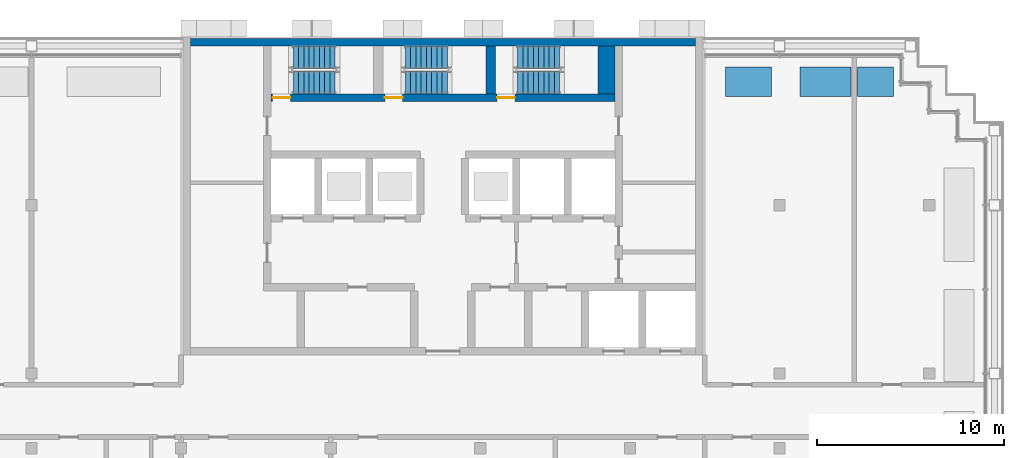
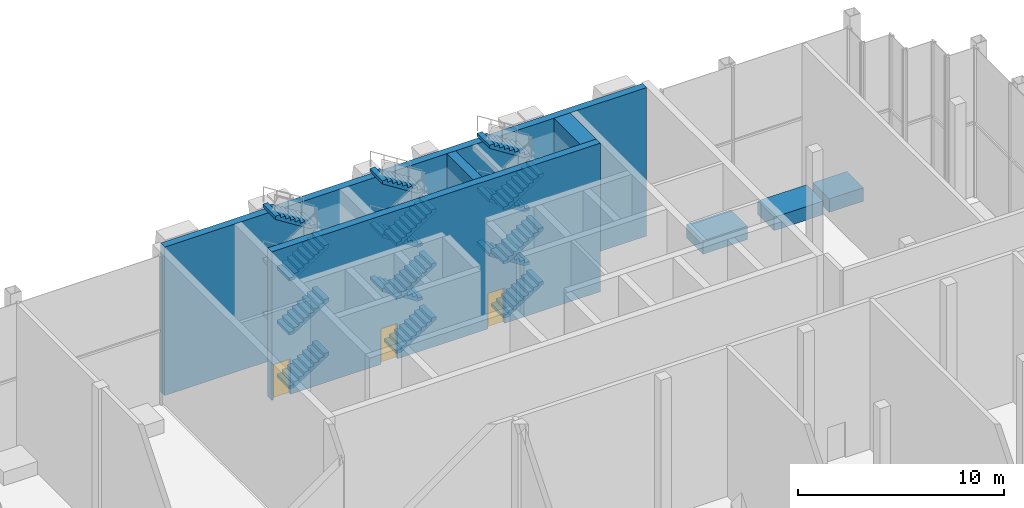
# One storey, part 10 of 15: 18 stair flights, 7 walls, 3 doors, 3 openings, 3 elements without a shape of their own.
"""IFC4 building model written with IfcOpenShell, lengths in metres."""

from ifc_helpers import new_model, si_unit, direction, frame, frame_2d, origin, place, context, subcontext, project, spatial, polyline, rectangle, outline, extrude, material, layer, layer_set, type_object, element, fill, aggregate, save


model = new_model("IFC4")

# Units and contexts
model_context = context("Model", 3, precision=1e-05, world=origin(), true_north=direction((0.0, 1.0)))
body_context = subcontext(model_context, "Body", "Model", "MODEL_VIEW")
ifc_project = project(units=[si_unit("LENGTHUNIT", "METRE"), si_unit("AREAUNIT", "SQUARE_METRE"), si_unit("VOLUMEUNIT", "CUBIC_METRE"), si_unit("PLANEANGLEUNIT", "RADIAN"), si_unit("MASSUNIT", "GRAM", prefix="KILO")], contexts=[model_context])

# Site, building, storey
site_placement = place(None, origin())
site = spatial("IfcSite", under=ifc_project, at=site_placement, CompositionType="ELEMENT")
building_placement = place(site_placement, origin())
building = spatial("IfcBuilding", under=site, at=building_placement, Name="Vidyagriha Tower", CompositionType="ELEMENT")
storey_placement = place(building_placement, frame((0.0, 0.0, 239.60009765625)))
storey = spatial("IfcBuildingStorey", under=building, at=storey_placement, Name="L63", CompositionType="ELEMENT", Elevation=239.60009765625)

# Walls
ifc_material_1 = material(Name="Precast concrete C40/50 with brick facing", Category="concrete")
ifc_layer_1 = layer(ifc_material_1, 1.60009765625)
ifc_layer_set_1 = layer_set([ifc_layer_1], Name="Precast concrete C40/50 with brick facing")
wall_type_1 = type_object("IfcWallType", Name="Brick planter box 1600", PredefinedType="STANDARD", material=ifc_layer_set_1)
wall_1_placement = place(storey_placement, frame((17.580078125, 17.60009765625, 0.0), z_axis=(0.0, 0.0, 1.0), x_axis=(-1.0, 0.0, 0.0)))
element("IfcWall", 1, at=wall_1_placement, inside=storey, type_object=wall_type_1, Name="PLANTER L63 2", PredefinedType="STANDARD", context=body_context, shape_type="SweptSolid", body=[
    extrude(rectangle(XDim=2.47998046875, YDim=1.60009765625, at=frame_2d((1.239990234375, 0.0))), origin(), (0.0, 0.0, 1.0), 0.7998046875),
])
wall_2_placement = place(storey_placement, frame((24.080078125, 17.60009765625, 0.0), z_axis=(0.0, 0.0, 1.0), x_axis=(-1.0, 0.0, 0.0)))
element("IfcWall", 2, at=wall_2_placement, inside=storey, type_object=wall_type_1, Name="PLANTER L63 1", PredefinedType="STANDARD", context=body_context, shape_type="SweptSolid", body=[
    extrude(rectangle(XDim=1.905029296875, YDim=1.60009765625, at=frame_2d((0.95263671875, 0.0))), origin(), (0.0, 0.0, 1.0), 0.7998046875),
])
wall_3_placement = place(storey_placement, frame((21.824951171875, 17.60009765625, 0.0), z_axis=(0.0, 0.0, 1.0), x_axis=(-1.0, 0.0, 0.0)))
element("IfcWall", 3, at=wall_3_placement, inside=storey, type_object=wall_type_1, Name="PLANTER L63 1", PredefinedType="STANDARD", context=body_context, shape_type="SweptSolid", body=[
    extrude(rectangle(XDim=2.744873046875, YDim=1.60009765625, at=frame_2d((1.37255859375, 0.0))), origin(), (0.0, 0.0, 1.0), 0.7998046875),
])
ifc_material_2 = material(Name="Concrete C60/75", Category="concrete")
ifc_layer_2 = layer(ifc_material_2, 0.39990234375)
ifc_layer_set_2 = layer_set([ifc_layer_2], Name="Concrete C60/75")
wall_type_2 = type_object("IfcWallType", Name="Core shear wall 400 mm", PredefinedType="SHEAR", material=ifc_layer_set_2)
wall_4_placement = place(storey_placement, frame((-13.5, 19.699951171875, 0.0)))
element("IfcWall", 4, at=wall_4_placement, inside=storey, type_object=wall_type_2, Name="Core north wall", PredefinedType="SHEAR", context=body_context, shape_type="SweptSolid", body=[
    extrude(rectangle(XDim=27.0, YDim=0.39990234375, at=frame_2d((13.5, 0.0))), origin(), (0.0, 0.0, 1.0), 8.7998046875),
])

# Wall, openings, doors
wall_5_placement = place(storey_placement, frame((-9.199951171875, 16.75, 0.0)))
wall_5 = element("IfcWall", 5, at=wall_5_placement, inside=storey, type_object=wall_type_2, Name="Stair front wall", PredefinedType="SHEAR", context=body_context, shape_type="SweptSolid", body=[
    extrude(rectangle(XDim=18.39990234375, YDim=0.39990234375, at=frame_2d((9.199951171875, 0.0))), origin(), (0.0, 0.0, 1.0), 8.7998046875),
])
opening_1_placement = place(wall_5_placement, frame((0.10009765625, 0.0, 0.0)))
opening_1 = element("IfcOpeningElement", 6, at=opening_1_placement, cuts=wall_5, Name="Opening D63-06", PredefinedType="OPENING", context=body_context, shape_type="SweptSolid", body=[
    extrude(rectangle(XDim=0.949951171875, YDim=2.10009765625, at=frame_2d((0.47509765625, 1.050048828125))), frame((0.0, 0.2099609375, 0.0), z_axis=(0.0, -1.0, 0.0), x_axis=(1.0, 0.0, 0.0)), (0.0, 0.0, 1.0), 0.419921875),
])
opening_2_placement = place(wall_5_placement, frame((6.10009765625, 0.0, 0.0)))
opening_2 = element("IfcOpeningElement", 7, at=opening_2_placement, cuts=wall_5, Name="Opening D63-07", PredefinedType="OPENING", context=body_context, shape_type="SweptSolid", body=[
    extrude(rectangle(XDim=0.949951171875, YDim=2.10009765625, at=frame_2d((0.47509765625, 1.050048828125))), frame((0.0, 0.2099609375, 0.0), z_axis=(0.0, -1.0, 0.0), x_axis=(1.0, 0.0, 0.0)), (0.0, 0.0, 1.0), 0.419921875),
])
opening_3_placement = place(wall_5_placement, frame((12.10009765625, 0.0, 0.0)))
opening_3 = element("IfcOpeningElement", 8, at=opening_3_placement, cuts=wall_5, Name="Opening D63-08", PredefinedType="OPENING", context=body_context, shape_type="SweptSolid", body=[
    extrude(rectangle(XDim=0.949951171875, YDim=2.10009765625, at=frame_2d((0.47509765625, 1.050048828125))), frame((0.0, 0.2099609375, 0.0), z_axis=(0.0, -1.0, 0.0), x_axis=(1.0, 0.0, 0.0)), (0.0, 0.0, 1.0), 0.419921875),
])
ifc_material_3 = material(Name="Hollow metal door leaf")
door_type = type_object("IfcDoorType", Name="Exit stair door 950 x 2100 mm EI 90", OperationType="NOTDEFINED", PredefinedType="DOOR", material=ifc_material_3)
door_1_placement = place(opening_1_placement, origin())
door_1 = element("IfcDoor", 9, at=door_1_placement, inside=storey, type_object=door_type, Name="Stair door ST1 L63", OperationType="SINGLE_SWING_LEFT", OverallHeight=2.10009765625, OverallWidth=0.949951171875, PredefinedType="DOOR", context=body_context, shape_type="SweptSolid", body=[
    extrude(rectangle(XDim=0.949951171875, YDim=2.10009765625, at=frame_2d((0.47509765625, 1.050048828125))), frame((0.0, 0.02490234375, 0.0), z_axis=(0.0, -1.0, 0.0), x_axis=(1.0, 0.0, 0.0)), (0.0, 0.0, 1.0), 0.050048828125),
])
fill(opening_1, door_1)
door_2_placement = place(opening_2_placement, origin())
door_2 = element("IfcDoor", 10, at=door_2_placement, inside=storey, type_object=door_type, Name="Stair door ST2 L63", OperationType="SINGLE_SWING_LEFT", OverallHeight=2.10009765625, OverallWidth=0.949951171875, PredefinedType="DOOR", context=body_context, shape_type="SweptSolid", body=[
    extrude(rectangle(XDim=0.949951171875, YDim=2.10009765625, at=frame_2d((0.47509765625, 1.050048828125))), frame((0.0, 0.02490234375, 0.0), z_axis=(0.0, -1.0, 0.0), x_axis=(1.0, 0.0, 0.0)), (0.0, 0.0, 1.0), 0.050048828125),
])
fill(opening_2, door_2)
door_3_placement = place(opening_3_placement, origin())
door_3 = element("IfcDoor", 11, at=door_3_placement, inside=storey, type_object=door_type, Name="Stair door ST3 L63", OperationType="SINGLE_SWING_LEFT", OverallHeight=2.10009765625, OverallWidth=0.949951171875, PredefinedType="DOOR", context=body_context, shape_type="SweptSolid", body=[
    extrude(rectangle(XDim=0.949951171875, YDim=2.10009765625, at=frame_2d((0.47509765625, 1.050048828125))), frame((0.0, 0.02490234375, 0.0), z_axis=(0.0, -1.0, 0.0), x_axis=(1.0, 0.0, 0.0)), (0.0, 0.0, 1.0), 0.050048828125),
])
fill(opening_3, door_3)

# Walls
ifc_material_4 = material(Name="Concrete C60/75", Category="concrete")
ifc_layer_3 = layer(ifc_material_4, 0.5)
ifc_layer_set_3 = layer_set([ifc_layer_3], Name="Concrete C60/75")
wall_type_3 = type_object("IfcWallType", Name="Core shear wall 500 mm", PredefinedType="SHEAR", material=ifc_layer_set_3)
wall_6_placement = place(storey_placement, frame((2.550048828125, 16.949951171875, 0.0), z_axis=(0.0, 0.0, 1.0), x_axis=(0.0, 1.0, 0.0)))
element("IfcWall", 12, at=wall_6_placement, inside=storey, type_object=wall_type_3, Name="Stair partition wall 2", PredefinedType="SHEAR", context=body_context, shape_type="SweptSolid", body=[
    extrude(rectangle(XDim=2.550048828125, YDim=0.5, at=frame_2d((1.27490234375, 0.0))), origin(), (0.0, 0.0, 1.0), 8.7998046875),
])
ifc_material_5 = material(Name="Concrete C60/75", Category="concrete")
ifc_layer_4 = layer(ifc_material_5, 0.89990234375)
ifc_layer_set_4 = layer_set([ifc_layer_4], Name="Concrete C60/75")
wall_type_4 = type_object("IfcWallType", Name="Core shear wall 900 mm", PredefinedType="SHEAR", material=ifc_layer_set_4)
wall_7_placement = place(storey_placement, frame((8.75, 16.949951171875, 0.0), z_axis=(0.0, 0.0, 1.0), x_axis=(0.0, 1.0, 0.0)))
element("IfcWall", 13, at=wall_7_placement, inside=storey, type_object=wall_type_4, Name="Stair end wall", PredefinedType="SHEAR", context=body_context, shape_type="SweptSolid", body=[
    extrude(rectangle(XDim=2.550048828125, YDim=0.89990234375, at=frame_2d((1.27490234375, 0.0))), origin(), (0.0, 0.0, 1.0), 8.7998046875),
])

# Stair, stair flights
ifc_material_6 = material(Name="Concrete C40/50", Category="concrete")
stair_type = type_object("IfcStairType", Name="Exit stair, half-turn, precast flights", PredefinedType="HALF_TURN_STAIR", material=ifc_material_6)
stair_1_placement = place(storey_placement, origin())
stair_1 = element("IfcStair", 14, at=stair_1_placement, inside=storey, type_object=stair_type, Name="L63 Exit Stair ST1", PredefinedType="HALF_TURN_STAIR")
ifc_material_7 = material(Name="Precast concrete C40/50", Category="concrete")
stair_flight_type = type_object("IfcStairFlightType", Name="Exit stair flight 1200 mm, precast", PredefinedType="STRAIGHT", material=ifc_material_7)
stair_flight_1_placement = place(storey_placement, frame((-8.0, 17.550048828125, 0.0)))
stair_flight_1 = element("IfcStairFlight", 15, at=stair_flight_1_placement, type_object=stair_flight_type, Name="ST1 flight 1", NumberOfRisers=9, NumberOfTreads=8, PredefinedType="STRAIGHT", RiserHeight=0.177777778, TreadLength=0.28, context=body_context, shape_type="SweptSolid", body=[
    extrude(outline(polyline([(0.0, 0.0), (0.0, 0.177734375), (0.280029296875, 0.177734375), (0.280029296875, 0.35546875), (0.56005859375, 0.35546875), (0.56005859375, 0.533447265625), (0.840087890625, 0.533447265625), (0.840087890625, 0.711181640625), (1.1201171875, 0.711181640625), (1.1201171875, 0.888916015625), (1.39990234375, 0.888916015625), (1.39990234375, 1.066650390625), (1.679931640625, 1.066650390625), (1.679931640625, 1.244384765625), (1.9599609375, 1.244384765625), (1.9599609375, 1.422119140625), (2.239990234375, 1.422119140625), (2.239990234375, 1.60009765625), (2.239990234375, 1.24462890625), (0.27978515625, 0.0), (0.0, 0.0)])), frame((0.0, 0.60009765625, 0.0), z_axis=(0.0, -1.0, 0.0), x_axis=(1.0, 0.0, 0.0)), (0.0, 0.0, 1.0), 1.199951171875),
])
stair_flight_2_placement = place(storey_placement, frame((-5.760009765625, 18.89990234375, 1.599853515625), z_axis=(0.0, 0.0, 1.0), x_axis=(-1.0, 0.0, 0.0)))
stair_flight_2 = element("IfcStairFlight", 16, at=stair_flight_2_placement, type_object=stair_flight_type, Name="ST1 flight 2", NumberOfRisers=9, NumberOfTreads=8, PredefinedType="STRAIGHT", RiserHeight=0.177777778, TreadLength=0.28, context=body_context, shape_type="SweptSolid", body=[
    extrude(outline(polyline([(0.0, 0.0), (0.0, 0.177734375), (0.280029296875, 0.177734375), (0.280029296875, 0.35546875), (0.56005859375, 0.35546875), (0.56005859375, 0.533447265625), (0.840087890625, 0.533447265625), (0.840087890625, 0.711181640625), (1.1201171875, 0.711181640625), (1.1201171875, 0.888916015625), (1.39990234375, 0.888916015625), (1.39990234375, 1.066650390625), (1.679931640625, 1.066650390625), (1.679931640625, 1.244384765625), (1.9599609375, 1.244384765625), (1.9599609375, 1.422119140625), (2.239990234375, 1.422119140625), (2.239990234375, 1.60009765625), (2.239990234375, 1.24462890625), (0.27978515625, 0.0), (0.0, 0.0)])), frame((0.0, 0.60009765625, 0.0), z_axis=(0.0, -1.0, 0.0), x_axis=(1.0, 0.0, 0.0)), (0.0, 0.0, 1.0), 1.199951171875),
])
stair_flight_3_placement = place(storey_placement, frame((-8.0, 17.550048828125, 3.199951171875)))
stair_flight_3 = element("IfcStairFlight", 17, at=stair_flight_3_placement, type_object=stair_flight_type, Name="ST1 flight 3", NumberOfRisers=9, NumberOfTreads=8, PredefinedType="STRAIGHT", RiserHeight=0.177777778, TreadLength=0.28, context=body_context, shape_type="SweptSolid", body=[
    extrude(outline(polyline([(0.0, 0.0), (0.0, 0.177734375), (0.280029296875, 0.177734375), (0.280029296875, 0.35546875), (0.56005859375, 0.35546875), (0.56005859375, 0.533447265625), (0.840087890625, 0.533447265625), (0.840087890625, 0.711181640625), (1.1201171875, 0.711181640625), (1.1201171875, 0.888916015625), (1.39990234375, 0.888916015625), (1.39990234375, 1.066650390625), (1.679931640625, 1.066650390625), (1.679931640625, 1.244384765625), (1.9599609375, 1.244384765625), (1.9599609375, 1.422119140625), (2.239990234375, 1.422119140625), (2.239990234375, 1.60009765625), (2.239990234375, 1.24462890625), (0.27978515625, 0.0), (0.0, 0.0)])), frame((0.0, 0.60009765625, 0.0), z_axis=(0.0, -1.0, 0.0), x_axis=(1.0, 0.0, 0.0)), (0.0, 0.0, 1.0), 1.199951171875),
])
stair_flight_4_placement = place(storey_placement, frame((-5.760009765625, 18.89990234375, 4.7998046875), z_axis=(0.0, 0.0, 1.0), x_axis=(-1.0, 0.0, 0.0)))
stair_flight_4 = element("IfcStairFlight", 18, at=stair_flight_4_placement, type_object=stair_flight_type, Name="ST1 flight 4", NumberOfRisers=9, NumberOfTreads=8, PredefinedType="STRAIGHT", RiserHeight=0.177777778, TreadLength=0.28, context=body_context, shape_type="SweptSolid", body=[
    extrude(outline(polyline([(0.0, 0.0), (0.0, 0.177734375), (0.280029296875, 0.177734375), (0.280029296875, 0.35546875), (0.56005859375, 0.35546875), (0.56005859375, 0.533447265625), (0.840087890625, 0.533447265625), (0.840087890625, 0.711181640625), (1.1201171875, 0.711181640625), (1.1201171875, 0.888916015625), (1.39990234375, 0.888916015625), (1.39990234375, 1.066650390625), (1.679931640625, 1.066650390625), (1.679931640625, 1.244384765625), (1.9599609375, 1.244384765625), (1.9599609375, 1.422119140625), (2.239990234375, 1.422119140625), (2.239990234375, 1.60009765625), (2.239990234375, 1.24462890625), (0.27978515625, 0.0), (0.0, 0.0)])), frame((0.0, 0.60009765625, 0.0), z_axis=(0.0, -1.0, 0.0), x_axis=(1.0, 0.0, 0.0)), (0.0, 0.0, 1.0), 1.199951171875),
])
stair_flight_5_placement = place(storey_placement, frame((-8.0, 17.550048828125, 6.39990234375)))
stair_flight_5 = element("IfcStairFlight", 19, at=stair_flight_5_placement, type_object=stair_flight_type, Name="ST1 flight 5", NumberOfRisers=9, NumberOfTreads=8, PredefinedType="STRAIGHT", RiserHeight=0.177777778, TreadLength=0.28, context=body_context, shape_type="SweptSolid", body=[
    extrude(outline(polyline([(0.0, 0.0), (0.0, 0.177734375), (0.280029296875, 0.177734375), (0.280029296875, 0.35546875), (0.56005859375, 0.35546875), (0.56005859375, 0.533447265625), (0.840087890625, 0.533447265625), (0.840087890625, 0.711181640625), (1.1201171875, 0.711181640625), (1.1201171875, 0.888916015625), (1.39990234375, 0.888916015625), (1.39990234375, 1.066650390625), (1.679931640625, 1.066650390625), (1.679931640625, 1.244384765625), (1.9599609375, 1.244384765625), (1.9599609375, 1.422119140625), (2.239990234375, 1.422119140625), (2.239990234375, 1.60009765625), (2.239990234375, 1.24462890625), (0.27978515625, 0.0), (0.0, 0.0)])), frame((0.0, 0.60009765625, 0.0), z_axis=(0.0, -1.0, 0.0), x_axis=(1.0, 0.0, 0.0)), (0.0, 0.0, 1.0), 1.199951171875),
])
stair_flight_6_placement = place(storey_placement, frame((-5.760009765625, 18.89990234375, 8.0), z_axis=(0.0, 0.0, 1.0), x_axis=(-1.0, 0.0, 0.0)))
stair_flight_6 = element("IfcStairFlight", 20, at=stair_flight_6_placement, type_object=stair_flight_type, Name="ST1 flight 6", NumberOfRisers=9, NumberOfTreads=8, PredefinedType="STRAIGHT", RiserHeight=0.177777778, TreadLength=0.28, context=body_context, shape_type="SweptSolid", body=[
    extrude(outline(polyline([(0.0, 0.0), (0.0, 0.177734375), (0.280029296875, 0.177734375), (0.280029296875, 0.35546875), (0.56005859375, 0.35546875), (0.56005859375, 0.533447265625), (0.840087890625, 0.533447265625), (0.840087890625, 0.711181640625), (1.1201171875, 0.711181640625), (1.1201171875, 0.888916015625), (1.39990234375, 0.888916015625), (1.39990234375, 1.066650390625), (1.679931640625, 1.066650390625), (1.679931640625, 1.244384765625), (1.9599609375, 1.244384765625), (1.9599609375, 1.422119140625), (2.239990234375, 1.422119140625), (2.239990234375, 1.60009765625), (2.239990234375, 1.24462890625), (0.27978515625, 0.0), (0.0, 0.0)])), frame((0.0, 0.60009765625, 0.0), z_axis=(0.0, -1.0, 0.0), x_axis=(1.0, 0.0, 0.0)), (0.0, 0.0, 1.0), 1.199951171875),
])
aggregate(stair_1, [stair_flight_1, stair_flight_2, stair_flight_3, stair_flight_4, stair_flight_5, stair_flight_6])

stair_2_placement = place(storey_placement, origin())
stair_2 = element("IfcStair", 21, at=stair_2_placement, inside=storey, type_object=stair_type, Name="L63 Exit Stair ST2", PredefinedType="HALF_TURN_STAIR")
stair_flight_7_placement = place(storey_placement, frame((-2.0, 17.550048828125, 0.0)))
stair_flight_7 = element("IfcStairFlight", 22, at=stair_flight_7_placement, type_object=stair_flight_type, Name="ST2 flight 1", NumberOfRisers=9, NumberOfTreads=8, PredefinedType="STRAIGHT", RiserHeight=0.177777778, TreadLength=0.28, context=body_context, shape_type="SweptSolid", body=[
    extrude(outline(polyline([(0.0, 0.0), (0.0, 0.177734375), (0.280029296875, 0.177734375), (0.280029296875, 0.35546875), (0.56005859375, 0.35546875), (0.56005859375, 0.533447265625), (0.840087890625, 0.533447265625), (0.840087890625, 0.711181640625), (1.1201171875, 0.711181640625), (1.1201171875, 0.888916015625), (1.39990234375, 0.888916015625), (1.39990234375, 1.066650390625), (1.679931640625, 1.066650390625), (1.679931640625, 1.244384765625), (1.9599609375, 1.244384765625), (1.9599609375, 1.422119140625), (2.239990234375, 1.422119140625), (2.239990234375, 1.60009765625), (2.239990234375, 1.24462890625), (0.27978515625, 0.0), (0.0, 0.0)])), frame((0.0, 0.60009765625, 0.0), z_axis=(0.0, -1.0, 0.0), x_axis=(1.0, 0.0, 0.0)), (0.0, 0.0, 1.0), 1.199951171875),
])
stair_flight_8_placement = place(storey_placement, frame((0.239990234375, 18.89990234375, 1.599853515625), z_axis=(0.0, 0.0, 1.0), x_axis=(-1.0, 0.0, 0.0)))
stair_flight_8 = element("IfcStairFlight", 23, at=stair_flight_8_placement, type_object=stair_flight_type, Name="ST2 flight 2", NumberOfRisers=9, NumberOfTreads=8, PredefinedType="STRAIGHT", RiserHeight=0.177777778, TreadLength=0.28, context=body_context, shape_type="SweptSolid", body=[
    extrude(outline(polyline([(0.0, 0.0), (0.0, 0.177734375), (0.280029296875, 0.177734375), (0.280029296875, 0.35546875), (0.56005859375, 0.35546875), (0.56005859375, 0.533447265625), (0.840087890625, 0.533447265625), (0.840087890625, 0.711181640625), (1.1201171875, 0.711181640625), (1.1201171875, 0.888916015625), (1.39990234375, 0.888916015625), (1.39990234375, 1.066650390625), (1.679931640625, 1.066650390625), (1.679931640625, 1.244384765625), (1.9599609375, 1.244384765625), (1.9599609375, 1.422119140625), (2.239990234375, 1.422119140625), (2.239990234375, 1.60009765625), (2.239990234375, 1.24462890625), (0.27978515625, 0.0), (0.0, 0.0)])), frame((0.0, 0.60009765625, 0.0), z_axis=(0.0, -1.0, 0.0), x_axis=(1.0, 0.0, 0.0)), (0.0, 0.0, 1.0), 1.199951171875),
])
stair_flight_9_placement = place(storey_placement, frame((-2.0, 17.550048828125, 3.199951171875)))
stair_flight_9 = element("IfcStairFlight", 24, at=stair_flight_9_placement, type_object=stair_flight_type, Name="ST2 flight 3", NumberOfRisers=9, NumberOfTreads=8, PredefinedType="STRAIGHT", RiserHeight=0.177777778, TreadLength=0.28, context=body_context, shape_type="SweptSolid", body=[
    extrude(outline(polyline([(0.0, 0.0), (0.0, 0.177734375), (0.280029296875, 0.177734375), (0.280029296875, 0.35546875), (0.56005859375, 0.35546875), (0.56005859375, 0.533447265625), (0.840087890625, 0.533447265625), (0.840087890625, 0.711181640625), (1.1201171875, 0.711181640625), (1.1201171875, 0.888916015625), (1.39990234375, 0.888916015625), (1.39990234375, 1.066650390625), (1.679931640625, 1.066650390625), (1.679931640625, 1.244384765625), (1.9599609375, 1.244384765625), (1.9599609375, 1.422119140625), (2.239990234375, 1.422119140625), (2.239990234375, 1.60009765625), (2.239990234375, 1.24462890625), (0.27978515625, 0.0), (0.0, 0.0)])), frame((0.0, 0.60009765625, 0.0), z_axis=(0.0, -1.0, 0.0), x_axis=(1.0, 0.0, 0.0)), (0.0, 0.0, 1.0), 1.199951171875),
])
stair_flight_10_placement = place(storey_placement, frame((0.239990234375, 18.89990234375, 4.7998046875), z_axis=(0.0, 0.0, 1.0), x_axis=(-1.0, 0.0, 0.0)))
stair_flight_10 = element("IfcStairFlight", 25, at=stair_flight_10_placement, type_object=stair_flight_type, Name="ST2 flight 4", NumberOfRisers=9, NumberOfTreads=8, PredefinedType="STRAIGHT", RiserHeight=0.177777778, TreadLength=0.28, context=body_context, shape_type="SweptSolid", body=[
    extrude(outline(polyline([(0.0, 0.0), (0.0, 0.177734375), (0.280029296875, 0.177734375), (0.280029296875, 0.35546875), (0.56005859375, 0.35546875), (0.56005859375, 0.533447265625), (0.840087890625, 0.533447265625), (0.840087890625, 0.711181640625), (1.1201171875, 0.711181640625), (1.1201171875, 0.888916015625), (1.39990234375, 0.888916015625), (1.39990234375, 1.066650390625), (1.679931640625, 1.066650390625), (1.679931640625, 1.244384765625), (1.9599609375, 1.244384765625), (1.9599609375, 1.422119140625), (2.239990234375, 1.422119140625), (2.239990234375, 1.60009765625), (2.239990234375, 1.24462890625), (0.27978515625, 0.0), (0.0, 0.0)])), frame((0.0, 0.60009765625, 0.0), z_axis=(0.0, -1.0, 0.0), x_axis=(1.0, 0.0, 0.0)), (0.0, 0.0, 1.0), 1.199951171875),
])
stair_flight_11_placement = place(storey_placement, frame((-2.0, 17.550048828125, 6.39990234375)))
stair_flight_11 = element("IfcStairFlight", 26, at=stair_flight_11_placement, type_object=stair_flight_type, Name="ST2 flight 5", NumberOfRisers=9, NumberOfTreads=8, PredefinedType="STRAIGHT", RiserHeight=0.177777778, TreadLength=0.28, context=body_context, shape_type="SweptSolid", body=[
    extrude(outline(polyline([(0.0, 0.0), (0.0, 0.177734375), (0.280029296875, 0.177734375), (0.280029296875, 0.35546875), (0.56005859375, 0.35546875), (0.56005859375, 0.533447265625), (0.840087890625, 0.533447265625), (0.840087890625, 0.711181640625), (1.1201171875, 0.711181640625), (1.1201171875, 0.888916015625), (1.39990234375, 0.888916015625), (1.39990234375, 1.066650390625), (1.679931640625, 1.066650390625), (1.679931640625, 1.244384765625), (1.9599609375, 1.244384765625), (1.9599609375, 1.422119140625), (2.239990234375, 1.422119140625), (2.239990234375, 1.60009765625), (2.239990234375, 1.24462890625), (0.27978515625, 0.0), (0.0, 0.0)])), frame((0.0, 0.60009765625, 0.0), z_axis=(0.0, -1.0, 0.0), x_axis=(1.0, 0.0, 0.0)), (0.0, 0.0, 1.0), 1.199951171875),
])
stair_flight_12_placement = place(storey_placement, frame((0.239990234375, 18.89990234375, 8.0), z_axis=(0.0, 0.0, 1.0), x_axis=(-1.0, 0.0, 0.0)))
stair_flight_12 = element("IfcStairFlight", 27, at=stair_flight_12_placement, type_object=stair_flight_type, Name="ST2 flight 6", NumberOfRisers=9, NumberOfTreads=8, PredefinedType="STRAIGHT", RiserHeight=0.177777778, TreadLength=0.28, context=body_context, shape_type="SweptSolid", body=[
    extrude(outline(polyline([(0.0, 0.0), (0.0, 0.177734375), (0.280029296875, 0.177734375), (0.280029296875, 0.35546875), (0.56005859375, 0.35546875), (0.56005859375, 0.533447265625), (0.840087890625, 0.533447265625), (0.840087890625, 0.711181640625), (1.1201171875, 0.711181640625), (1.1201171875, 0.888916015625), (1.39990234375, 0.888916015625), (1.39990234375, 1.066650390625), (1.679931640625, 1.066650390625), (1.679931640625, 1.244384765625), (1.9599609375, 1.244384765625), (1.9599609375, 1.422119140625), (2.239990234375, 1.422119140625), (2.239990234375, 1.60009765625), (2.239990234375, 1.24462890625), (0.27978515625, 0.0), (0.0, 0.0)])), frame((0.0, 0.60009765625, 0.0), z_axis=(0.0, -1.0, 0.0), x_axis=(1.0, 0.0, 0.0)), (0.0, 0.0, 1.0), 1.199951171875),
])
aggregate(stair_2, [stair_flight_7, stair_flight_8, stair_flight_9, stair_flight_10, stair_flight_11, stair_flight_12])

stair_3_placement = place(storey_placement, origin())
stair_3 = element("IfcStair", 28, at=stair_3_placement, inside=storey, type_object=stair_type, Name="L63 Exit Stair ST3", PredefinedType="HALF_TURN_STAIR")
stair_flight_13_placement = place(storey_placement, frame((4.0, 17.550048828125, 0.0)))
stair_flight_13 = element("IfcStairFlight", 29, at=stair_flight_13_placement, type_object=stair_flight_type, Name="ST3 flight 1", NumberOfRisers=9, NumberOfTreads=8, PredefinedType="STRAIGHT", RiserHeight=0.177777778, TreadLength=0.28, context=body_context, shape_type="SweptSolid", body=[
    extrude(outline(polyline([(0.0, 0.0), (0.0, 0.177734375), (0.280029296875, 0.177734375), (0.280029296875, 0.35546875), (0.56005859375, 0.35546875), (0.56005859375, 0.533447265625), (0.840087890625, 0.533447265625), (0.840087890625, 0.711181640625), (1.1201171875, 0.711181640625), (1.1201171875, 0.888916015625), (1.39990234375, 0.888916015625), (1.39990234375, 1.066650390625), (1.679931640625, 1.066650390625), (1.679931640625, 1.244384765625), (1.9599609375, 1.244384765625), (1.9599609375, 1.422119140625), (2.239990234375, 1.422119140625), (2.239990234375, 1.60009765625), (2.239990234375, 1.24462890625), (0.27978515625, 0.0), (0.0, 0.0)])), frame((0.0, 0.60009765625, 0.0), z_axis=(0.0, -1.0, 0.0), x_axis=(1.0, 0.0, 0.0)), (0.0, 0.0, 1.0), 1.199951171875),
])
stair_flight_14_placement = place(storey_placement, frame((6.239990234375, 18.89990234375, 1.599853515625), z_axis=(0.0, 0.0, 1.0), x_axis=(-1.0, 0.0, 0.0)))
stair_flight_14 = element("IfcStairFlight", 30, at=stair_flight_14_placement, type_object=stair_flight_type, Name="ST3 flight 2", NumberOfRisers=9, NumberOfTreads=8, PredefinedType="STRAIGHT", RiserHeight=0.177777778, TreadLength=0.28, context=body_context, shape_type="SweptSolid", body=[
    extrude(outline(polyline([(0.0, 0.0), (0.0, 0.177734375), (0.280029296875, 0.177734375), (0.280029296875, 0.35546875), (0.56005859375, 0.35546875), (0.56005859375, 0.533447265625), (0.840087890625, 0.533447265625), (0.840087890625, 0.711181640625), (1.1201171875, 0.711181640625), (1.1201171875, 0.888916015625), (1.39990234375, 0.888916015625), (1.39990234375, 1.066650390625), (1.679931640625, 1.066650390625), (1.679931640625, 1.244384765625), (1.9599609375, 1.244384765625), (1.9599609375, 1.422119140625), (2.239990234375, 1.422119140625), (2.239990234375, 1.60009765625), (2.239990234375, 1.24462890625), (0.27978515625, 0.0), (0.0, 0.0)])), frame((0.0, 0.60009765625, 0.0), z_axis=(0.0, -1.0, 0.0), x_axis=(1.0, 0.0, 0.0)), (0.0, 0.0, 1.0), 1.199951171875),
])
stair_flight_15_placement = place(storey_placement, frame((4.0, 17.550048828125, 3.199951171875)))
stair_flight_15 = element("IfcStairFlight", 31, at=stair_flight_15_placement, type_object=stair_flight_type, Name="ST3 flight 3", NumberOfRisers=9, NumberOfTreads=8, PredefinedType="STRAIGHT", RiserHeight=0.177777778, TreadLength=0.28, context=body_context, shape_type="SweptSolid", body=[
    extrude(outline(polyline([(0.0, 0.0), (0.0, 0.177734375), (0.280029296875, 0.177734375), (0.280029296875, 0.35546875), (0.56005859375, 0.35546875), (0.56005859375, 0.533447265625), (0.840087890625, 0.533447265625), (0.840087890625, 0.711181640625), (1.1201171875, 0.711181640625), (1.1201171875, 0.888916015625), (1.39990234375, 0.888916015625), (1.39990234375, 1.066650390625), (1.679931640625, 1.066650390625), (1.679931640625, 1.244384765625), (1.9599609375, 1.244384765625), (1.9599609375, 1.422119140625), (2.239990234375, 1.422119140625), (2.239990234375, 1.60009765625), (2.239990234375, 1.24462890625), (0.27978515625, 0.0), (0.0, 0.0)])), frame((0.0, 0.60009765625, 0.0), z_axis=(0.0, -1.0, 0.0), x_axis=(1.0, 0.0, 0.0)), (0.0, 0.0, 1.0), 1.199951171875),
])
stair_flight_16_placement = place(storey_placement, frame((6.239990234375, 18.89990234375, 4.7998046875), z_axis=(0.0, 0.0, 1.0), x_axis=(-1.0, 0.0, 0.0)))
stair_flight_16 = element("IfcStairFlight", 32, at=stair_flight_16_placement, type_object=stair_flight_type, Name="ST3 flight 4", NumberOfRisers=9, NumberOfTreads=8, PredefinedType="STRAIGHT", RiserHeight=0.177777778, TreadLength=0.28, context=body_context, shape_type="SweptSolid", body=[
    extrude(outline(polyline([(0.0, 0.0), (0.0, 0.177734375), (0.280029296875, 0.177734375), (0.280029296875, 0.35546875), (0.56005859375, 0.35546875), (0.56005859375, 0.533447265625), (0.840087890625, 0.533447265625), (0.840087890625, 0.711181640625), (1.1201171875, 0.711181640625), (1.1201171875, 0.888916015625), (1.39990234375, 0.888916015625), (1.39990234375, 1.066650390625), (1.679931640625, 1.066650390625), (1.679931640625, 1.244384765625), (1.9599609375, 1.244384765625), (1.9599609375, 1.422119140625), (2.239990234375, 1.422119140625), (2.239990234375, 1.60009765625), (2.239990234375, 1.24462890625), (0.27978515625, 0.0), (0.0, 0.0)])), frame((0.0, 0.60009765625, 0.0), z_axis=(0.0, -1.0, 0.0), x_axis=(1.0, 0.0, 0.0)), (0.0, 0.0, 1.0), 1.199951171875),
])
stair_flight_17_placement = place(storey_placement, frame((4.0, 17.550048828125, 6.39990234375)))
stair_flight_17 = element("IfcStairFlight", 33, at=stair_flight_17_placement, type_object=stair_flight_type, Name="ST3 flight 5", NumberOfRisers=9, NumberOfTreads=8, PredefinedType="STRAIGHT", RiserHeight=0.177777778, TreadLength=0.28, context=body_context, shape_type="SweptSolid", body=[
    extrude(outline(polyline([(0.0, 0.0), (0.0, 0.177734375), (0.280029296875, 0.177734375), (0.280029296875, 0.35546875), (0.56005859375, 0.35546875), (0.56005859375, 0.533447265625), (0.840087890625, 0.533447265625), (0.840087890625, 0.711181640625), (1.1201171875, 0.711181640625), (1.1201171875, 0.888916015625), (1.39990234375, 0.888916015625), (1.39990234375, 1.066650390625), (1.679931640625, 1.066650390625), (1.679931640625, 1.244384765625), (1.9599609375, 1.244384765625), (1.9599609375, 1.422119140625), (2.239990234375, 1.422119140625), (2.239990234375, 1.60009765625), (2.239990234375, 1.24462890625), (0.27978515625, 0.0), (0.0, 0.0)])), frame((0.0, 0.60009765625, 0.0), z_axis=(0.0, -1.0, 0.0), x_axis=(1.0, 0.0, 0.0)), (0.0, 0.0, 1.0), 1.199951171875),
])
stair_flight_18_placement = place(storey_placement, frame((6.239990234375, 18.89990234375, 8.0), z_axis=(0.0, 0.0, 1.0), x_axis=(-1.0, 0.0, 0.0)))
stair_flight_18 = element("IfcStairFlight", 34, at=stair_flight_18_placement, type_object=stair_flight_type, Name="ST3 flight 6", NumberOfRisers=9, NumberOfTreads=8, PredefinedType="STRAIGHT", RiserHeight=0.177777778, TreadLength=0.28, context=body_context, shape_type="SweptSolid", body=[
    extrude(outline(polyline([(0.0, 0.0), (0.0, 0.177734375), (0.280029296875, 0.177734375), (0.280029296875, 0.35546875), (0.56005859375, 0.35546875), (0.56005859375, 0.533447265625), (0.840087890625, 0.533447265625), (0.840087890625, 0.711181640625), (1.1201171875, 0.711181640625), (1.1201171875, 0.888916015625), (1.39990234375, 0.888916015625), (1.39990234375, 1.066650390625), (1.679931640625, 1.066650390625), (1.679931640625, 1.244384765625), (1.9599609375, 1.244384765625), (1.9599609375, 1.422119140625), (2.239990234375, 1.422119140625), (2.239990234375, 1.60009765625), (2.239990234375, 1.24462890625), (0.27978515625, 0.0), (0.0, 0.0)])), frame((0.0, 0.60009765625, 0.0), z_axis=(0.0, -1.0, 0.0), x_axis=(1.0, 0.0, 0.0)), (0.0, 0.0, 1.0), 1.199951171875),
])
aggregate(stair_3, [stair_flight_13, stair_flight_14, stair_flight_15, stair_flight_16, stair_flight_17, stair_flight_18])

save(model, "model.ifc")
